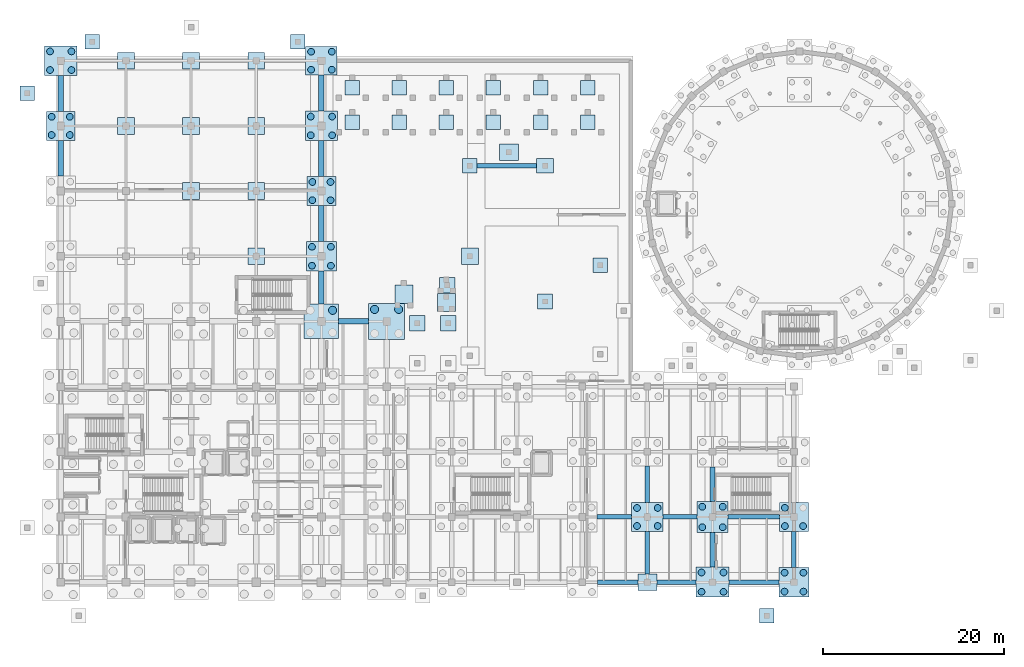
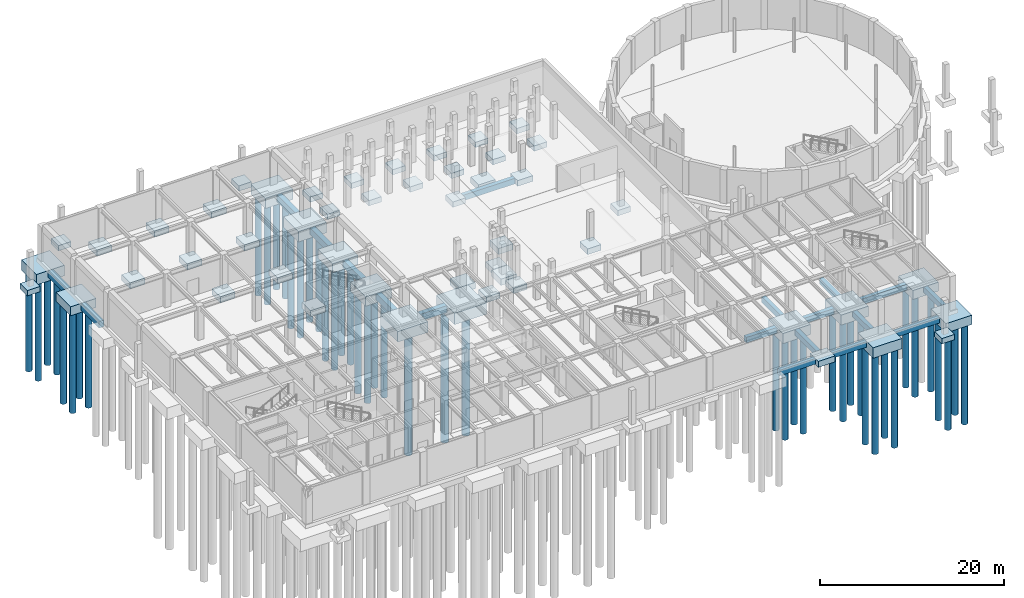
# One storey, part 4 of 26: 69 footings, 46 piles.
"""IFC4 building model written with IfcOpenShell, lengths in metres."""

import ifcopenshell
import ifcopenshell.guid

model = None  # the IFC model being written
_history = None  # IfcOwnerHistory: only IFC2X3 demands one
_inside = {}  # id of a spatial element -> (the spatial element, [elements in it])
_under = {}  # id of a project, library or spatial element -> (it, [spatial elements below it])
_declared = {}  # id of a project -> (the project, [libraries it declares])
_typed = {}  # id of a type object -> (the type object, [elements of that type])
_made_of = {}  # id of a material, layer set ... -> (it, [elements and type objects made of it])


def new_model(schema):
    """Start an empty IFC model of exactly this schema.

    Asked for "IFC4X3", IfcOpenShell would pick the latest addendum, in which some entities
    have other attributes; the version numbers below select the first issue.
    IFC2X3 requires an IfcOwnerHistory on every rooted entity: one is made here for all.
    """
    global model, _history
    if schema == "IFC4X3":
        model = ifcopenshell.file(schema_version=(4, 3, 0, 0))
    else:
        model = ifcopenshell.file(schema=schema)
    _inside.clear()
    _under.clear()
    _declared.clear()
    _typed.clear()
    _made_of.clear()
    _history = None
    if model.schema == "IFC2X3":
        org = make("IfcOrganization", Name="unknown")
        user = make(
            "IfcPersonAndOrganization",
            ThePerson=make("IfcPerson", FamilyName="unknown"),
            TheOrganization=org,
        )
        app = make(
            "IfcApplication",
            ApplicationDeveloper=org,
            Version="unknown",
            ApplicationFullName="unknown",
            ApplicationIdentifier="unknown",
        )
        _history = make(
            "IfcOwnerHistory",
            OwningUser=user,
            OwningApplication=app,
            ChangeAction="ADDED",
            CreationDate=0,
        )
    return model


def make(cls, **values):
    """One entity of the class cls with the attributes given. An attribute that is None is left unset."""
    return model.create_entity(
        cls, **{name: value for name, value in values.items() if value is not None}
    )


def rooted(cls, **values):
    """An entity with a GlobalId (a new one), such as an element, a storey or a relation."""
    return make(cls, GlobalId=ifcopenshell.guid.new(), OwnerHistory=_history, **values)


def si_unit(unit_type, name, prefix=None):
    """IfcSIUnit, for example si_unit("LENGTHUNIT", "METRE", prefix="MILLI")."""
    return make("IfcSIUnit", UnitType=unit_type, Prefix=prefix, Name=name)


def assignment(units):
    """IfcUnitAssignment: the units of a project."""
    return None if units is None else make("IfcUnitAssignment", Units=units)


def point(xyz):
    """IfcCartesianPoint."""
    return None if xyz is None else make("IfcCartesianPoint", Coordinates=xyz)


def direction(xyz):
    """IfcDirection."""
    return None if xyz is None else make("IfcDirection", DirectionRatios=xyz)


def frame(location, z_axis=None, x_axis=None):
    """IfcAxis2Placement3D, a coordinate frame: its origin and axes. An axis left out is left unset."""
    return make(
        "IfcAxis2Placement3D",
        Location=point(location),
        Axis=direction(z_axis),
        RefDirection=direction(x_axis),
    )


def frame_2d(location, x_axis=None):
    """IfcAxis2Placement2D, a coordinate frame in the plane: its origin and x axis."""
    return make(
        "IfcAxis2Placement2D", Location=point(location), RefDirection=direction(x_axis)
    )


def origin():
    """The frame at (0, 0, 0) with its axes left unset."""
    return frame((0.0, 0.0, 0.0))


def origin_2d():
    """The frame at (0, 0) in the plane with its x axis left unset."""
    return frame_2d((0.0, 0.0))


def place(relative_to, where):
    """IfcLocalPlacement: puts the frame where relative to a parent placement (None: the world)."""
    return make(
        "IfcLocalPlacement", PlacementRelTo=relative_to, RelativePlacement=where
    )


def context(
    kind, dimensions, precision=None, world=None, true_north=None, identifier=None
):
    """IfcGeometricRepresentationContext, for example the 3D "Model" context."""
    return make(
        "IfcGeometricRepresentationContext",
        ContextIdentifier=identifier,
        ContextType=kind,
        CoordinateSpaceDimension=dimensions,
        Precision=precision,
        WorldCoordinateSystem=world,
        TrueNorth=true_north,
    )


def subcontext(parent, identifier, kind, view, scale=None):
    """IfcGeometricRepresentationSubContext, for example "Body" below "Model"."""
    return make(
        "IfcGeometricRepresentationSubContext",
        ContextIdentifier=identifier,
        ContextType=kind,
        ParentContext=parent,
        TargetScale=scale,
        TargetView=view,
    )


def project(units=None, contexts=None):
    """IfcProject with its units and contexts."""
    return rooted(
        "IfcProject",
        Name="project",
        RepresentationContexts=contexts,
        UnitsInContext=assignment(units),
    )


def spatial(cls, under=None, at=None, **own):
    """A site, building, storey or space (cls), placed at a placement, below another one or the project."""
    s = rooted(cls, ObjectPlacement=at, **own)
    if under is not None:
        _under.setdefault(under.id(), (under, []))[1].append(s)
    return s


def profile(cls, at=None, kind="AREA", **sizes):
    """A parametric profile (cls). Its sizes go by their IFC names, for example OverallWidth=200.0."""
    return make(cls, ProfileType=kind, Position=at, **sizes)


def rectangle(**sizes):
    """IfcRectangleProfileDef."""
    return profile("IfcRectangleProfileDef", **sizes)


def circle(**sizes):
    """IfcCircleProfileDef."""
    return profile("IfcCircleProfileDef", **sizes)


def extrude(swept, where, along, depth):
    """IfcExtrudedAreaSolid: the profile swept, set in the frame where, extruded along a direction by depth."""
    return make(
        "IfcExtrudedAreaSolid",
        SweptArea=swept,
        Position=where,
        ExtrudedDirection=direction(along),
        Depth=depth,
    )


def shape(context_of_items, identifier, shape_type, items):
    """IfcShapeRepresentation: the items that make up one representation, for example the "Body"."""
    return make(
        "IfcShapeRepresentation",
        ContextOfItems=context_of_items,
        RepresentationIdentifier=identifier,
        RepresentationType=shape_type,
        Items=items,
    )


def material(Name=None, Category=None):
    """IfcMaterial."""
    return make("IfcMaterial", Name=Name, Category=Category)


def material_profile(
    of_material, cross_section, Name=None, Category=None, Priority=None
):
    """IfcMaterialProfile: a cross section and its material."""
    return make(
        "IfcMaterialProfile",
        Name=Name,
        Material=of_material,
        Profile=cross_section,
        Priority=Priority,
        Category=Category,
    )


def profile_set(profiles, Name=None, composite=None):
    """IfcMaterialProfileSet."""
    return make(
        "IfcMaterialProfileSet",
        Name=Name,
        MaterialProfiles=profiles,
        CompositeProfile=composite,
    )


def made_of(thing, what):
    """Note that an element or type object is made of a material, layer set ...; save() writes the relation."""
    if what is not None:
        _made_of.setdefault(what.id(), (what, []))[1].append(thing)
    return thing


def type_object(cls, material=None, **own):
    """A type object (cls), such as IfcWallType, which elements share."""
    return made_of(rooted(cls, **own), material)


def element(
    cls,
    number,
    at=None,
    inside=None,
    cuts=None,
    type_object=None,
    material=None,
    context=None,
    identifier="Body",
    shape_type=None,
    held_by="IfcProductDefinitionShape",
    body=None,
    shapes=None,
    **own,
):
    """One element of the class cls, such as IfcWall. Its Tag is "e" and its number.

    at: its placement. inside: the storey or other place that contains it. cuts: it is an
    opening in that element (IfcRelVoidsElement). A single representation is given by context,
    identifier, shape_type and body (its items); several are given by shapes. held_by: the class
    of the entity that holds the representations. save() writes the other relations.
    """
    e = rooted(cls, Tag="e%d" % number, ObjectPlacement=at, **own)
    if body is not None:
        shapes = [shape(context, identifier, shape_type, body)]
    if shapes is not None:
        e.Representation = make(held_by, Representations=shapes)
    if inside is not None:
        _inside.setdefault(inside.id(), (inside, []))[1].append(e)
    if cuts is not None:
        rooted(
            "IfcRelVoidsElement", RelatingBuildingElement=cuts, RelatedOpeningElement=e
        )
    if type_object is not None:
        _typed.setdefault(type_object.id(), (type_object, []))[1].append(e)
    return made_of(e, material)


def aggregate(whole, parts):
    """IfcRelAggregates: a whole, such as a stair, and the parts it consists of."""
    return rooted("IfcRelAggregates", RelatingObject=whole, RelatedObjects=parts)


def save(model, path):
    """Write the relations noted so far, then the file.

    IfcRelAggregates (storeys below a building ...), IfcRelContainedInSpatialStructure (elements
    in a storey), IfcRelDefinesByType, IfcRelAssociatesMaterial and IfcRelDeclares: one each for
    every whole, place, type object, material and project.
    """
    for whole, parts in _under.values():
        aggregate(whole, parts)
    for where, things in _inside.values():
        rooted(
            "IfcRelContainedInSpatialStructure",
            RelatedElements=things,
            RelatingStructure=where,
        )
    for kind, things in _typed.values():
        rooted("IfcRelDefinesByType", RelatedObjects=things, RelatingType=kind)
    for what, things in _made_of.values():
        rooted("IfcRelAssociatesMaterial", RelatedObjects=things, RelatingMaterial=what)
    for by, libraries in _declared.values():
        rooted("IfcRelDeclares", RelatingContext=by, RelatedDefinitions=libraries)
    model.write(path)


model = new_model("IFC4")

# Units and contexts
model_context = context("Model", 3, precision=1e-05, world=origin(), true_north=direction((0.0, 1.0)))
body_context = subcontext(model_context, "Body", "Model", "MODEL_VIEW")
ifc_project = project(units=[si_unit("LENGTHUNIT", "METRE"), si_unit("AREAUNIT", "SQUARE_METRE"), si_unit("VOLUMEUNIT", "CUBIC_METRE"), si_unit("PLANEANGLEUNIT", "RADIAN"), si_unit("MASSUNIT", "GRAM", prefix="KILO")], contexts=[model_context])

# Site, building, storey
site_placement = place(None, origin())
site = spatial("IfcSite", under=ifc_project, at=site_placement, CompositionType="ELEMENT")
building_placement = place(site_placement, origin())
building = spatial("IfcBuilding", under=site, at=building_placement, Name="Kandorven Conservatory and Botanical Research Centre", CompositionType="ELEMENT")
storey_placement = place(building_placement, frame((0.0, 0.0, -4.800048828125)))
storey = spatial("IfcBuildingStorey", under=building, at=storey_placement, Name="B01", CompositionType="ELEMENT", Elevation=-4.800048828125)

# Footings
ifc_material_1 = material(Name="Concrete C32/40 (M40)", Category="concrete")
ifc_material_profile_1 = material_profile(ifc_material_1, rectangle(XDim=0.60009765625, YDim=0.89990234375, at=origin_2d()))
ifc_profile_set_1 = profile_set([ifc_material_profile_1], Name="Concrete C32/40 (M40)")
footing_type_1 = type_object("IfcFootingType", Name="GroundBeam_GB-01", PredefinedType="FOOTING_BEAM", material=ifc_profile_set_1)
footing_1_placement = place(storey_placement, frame((6.0, 50.840087890625, -0.949951171875), z_axis=(0.0, 1.0, 0.0), x_axis=(-1.0, 0.0, 0.0)))
element("IfcFooting", 1, at=footing_1_placement, inside=storey, type_object=footing_type_1, Name="Ground tie beam GB-01 Y-012", PredefinedType="FOOTING_BEAM", context=body_context, shape_type="SweptSolid", body=[
    extrude(rectangle(XDim=0.60009765625, YDim=0.89990234375, at=origin_2d()), origin(), (0.0, 0.0, 1.0), 3.9599609375),
])
footing_2_placement = place(storey_placement, frame((6.0, 58.0, -0.949951171875), z_axis=(0.0, 1.0, 0.0), x_axis=(-1.0, 0.0, 0.0)))
element("IfcFooting", 2, at=footing_2_placement, inside=storey, type_object=footing_type_1, Name="Ground tie beam GB-01 Y-013", PredefinedType="FOOTING_BEAM", context=body_context, shape_type="SweptSolid", body=[
    extrude(rectangle(XDim=0.60009765625, YDim=0.89990234375, at=origin_2d()), origin(), (0.0, 0.0, 1.0), 3.97509765625),
])
footing_3_placement = place(storey_placement, frame((36.699951171875, 34.800048828125, -0.949951171875), z_axis=(1.0, 0.0, 0.0), x_axis=(0.0, 1.0, 0.0)))
element("IfcFooting", 3, at=footing_3_placement, inside=storey, type_object=footing_type_1, Name="Ground tie beam GB-01 X-049", PredefinedType="FOOTING_BEAM", context=body_context, shape_type="SweptSolid", body=[
    extrude(rectangle(XDim=0.60009765625, YDim=0.89990234375, at=origin_2d()), origin(), (0.0, 0.0, 1.0), 3.300048828125),
])
footing_4_placement = place(storey_placement, frame((34.800048828125, 36.699951171875, -0.949951171875), z_axis=(0.0, 1.0, 0.0), x_axis=(-1.0, 0.0, 0.0)))
element("IfcFooting", 4, at=footing_4_placement, inside=storey, type_object=footing_type_1, Name="Ground tie beam GB-01 Y-050", PredefinedType="FOOTING_BEAM", context=body_context, shape_type="SweptSolid", body=[
    extrude(rectangle(XDim=0.60009765625, YDim=0.89990234375, at=origin_2d()), origin(), (0.0, 0.0, 1.0), 3.66015625),
])
footing_5_placement = place(storey_placement, frame((34.800048828125, 43.639892578125, -0.949951171875), z_axis=(0.0, 1.0, 0.0), x_axis=(-1.0, 0.0, 0.0)))
element("IfcFooting", 5, at=footing_5_placement, inside=storey, type_object=footing_type_1, Name="Ground tie beam GB-01 Y-051", PredefinedType="FOOTING_BEAM", context=body_context, shape_type="SweptSolid", body=[
    extrude(rectangle(XDim=0.60009765625, YDim=0.89990234375, at=origin_2d()), origin(), (0.0, 0.0, 1.0), 3.960205078125),
])
footing_6_placement = place(storey_placement, frame((34.800048828125, 50.800048828125, -0.949951171875), z_axis=(0.0, 1.0, 0.0), x_axis=(-1.0, 0.0, 0.0)))
element("IfcFooting", 6, at=footing_6_placement, inside=storey, type_object=footing_type_1, Name="Ground tie beam GB-01 Y-052", PredefinedType="FOOTING_BEAM", context=body_context, shape_type="SweptSolid", body=[
    extrude(rectangle(XDim=0.60009765625, YDim=0.89990234375, at=origin_2d()), origin(), (0.0, 0.0, 1.0), 3.974853515625),
])
footing_7_placement = place(storey_placement, frame((34.800048828125, 58.02490234375, -0.949951171875), z_axis=(0.0, 1.0, 0.0), x_axis=(-1.0, 0.0, 0.0)))
element("IfcFooting", 7, at=footing_7_placement, inside=storey, type_object=footing_type_1, Name="Ground tie beam GB-01 Y-053", PredefinedType="FOOTING_BEAM", context=body_context, shape_type="SweptSolid", body=[
    extrude(rectangle(XDim=0.60009765625, YDim=0.89990234375, at=origin_2d()), origin(), (0.0, 0.0, 1.0), 3.985107421875),
])
ifc_material_2 = material(Name="Concrete C32/40 (M40)", Category="concrete")
ifc_material_profile_2 = material_profile(ifc_material_2, rectangle(XDim=0.5, YDim=0.75, at=origin_2d()))
ifc_profile_set_2 = profile_set([ifc_material_profile_2], Name="Concrete C32/40 (M40)")
footing_type_2 = type_object("IfcFootingType", Name="GroundBeam_GB-02", PredefinedType="FOOTING_BEAM", material=ifc_profile_set_2)
footing_8_placement = place(storey_placement, frame((52.0, 52.0, -0.875), z_axis=(1.0, 0.0, 0.0), x_axis=(0.0, 1.0, 0.0)))
element("IfcFooting", 8, at=footing_8_placement, inside=storey, type_object=footing_type_2, Name="Ground tie beam GB-02 X-069", PredefinedType="FOOTING_BEAM", context=body_context, shape_type="SweptSolid", body=[
    extrude(rectangle(XDim=0.5, YDim=0.75, at=origin_2d()), origin(), (0.0, 0.0, 1.0), 6.550048828125),
])
footing_9_placement = place(storey_placement, frame((65.27490234375, 6.0, -0.875), z_axis=(1.0, 0.0, 0.0), x_axis=(0.0, 1.0, 0.0)))
element("IfcFooting", 9, at=footing_9_placement, inside=storey, type_object=footing_type_2, Name="Ground tie beam GB-02 X-077", PredefinedType="FOOTING_BEAM", context=body_context, shape_type="SweptSolid", body=[
    extrude(rectangle(XDim=0.5, YDim=0.75, at=origin_2d()), origin(), (0.0, 0.0, 1.0), 4.47509765625),
])
footing_10_placement = place(storey_placement, frame((65.239990234375, 13.199951171875, -0.875), z_axis=(1.0, 0.0, 0.0), x_axis=(0.0, 1.0, 0.0)))
element("IfcFooting", 10, at=footing_10_placement, inside=storey, type_object=footing_type_2, Name="Ground tie beam GB-02 X-079", PredefinedType="FOOTING_BEAM", context=body_context, shape_type="SweptSolid", body=[
    extrude(rectangle(XDim=0.5, YDim=0.75, at=origin_2d()), origin(), (0.0, 0.0, 1.0), 3.820068359375),
])
footing_11_placement = place(storey_placement, frame((71.85009765625, 6.0, -0.875), z_axis=(1.0, 0.0, 0.0), x_axis=(0.0, 1.0, 0.0)))
element("IfcFooting", 11, at=footing_11_placement, inside=storey, type_object=footing_type_2, Name="Ground tie beam GB-02 X-084", PredefinedType="FOOTING_BEAM", context=body_context, shape_type="SweptSolid", body=[
    extrude(rectangle(XDim=0.5, YDim=0.75, at=origin_2d()), origin(), (0.0, 0.0, 1.0), 4.33984375),
])
footing_12_placement = place(storey_placement, frame((70.800048828125, 6.89990234375, -0.875), z_axis=(0.0, 1.0, 0.0), x_axis=(-1.0, 0.0, 0.0)))
element("IfcFooting", 12, at=footing_12_placement, inside=storey, type_object=footing_type_2, Name="Ground tie beam GB-02 Y-085", PredefinedType="FOOTING_BEAM", context=body_context, shape_type="SweptSolid", body=[
    extrude(rectangle(XDim=0.5, YDim=0.75, at=origin_2d()), origin(), (0.0, 0.0, 1.0), 4.710205078125),
])
footing_13_placement = place(storey_placement, frame((72.5400390625, 13.199951171875, -0.875), z_axis=(1.0, 0.0, 0.0), x_axis=(0.0, 1.0, 0.0)))
element("IfcFooting", 13, at=footing_13_placement, inside=storey, type_object=footing_type_2, Name="Ground tie beam GB-02 X-086", PredefinedType="FOOTING_BEAM", context=body_context, shape_type="SweptSolid", body=[
    extrude(rectangle(XDim=0.5, YDim=0.75, at=origin_2d()), origin(), (0.0, 0.0, 1.0), 3.73486328125),
])
footing_14_placement = place(storey_placement, frame((70.800048828125, 14.7900390625, -0.875), z_axis=(0.0, 1.0, 0.0), x_axis=(-1.0, 0.0, 0.0)))
element("IfcFooting", 14, at=footing_14_placement, inside=storey, type_object=footing_type_2, Name="Ground tie beam GB-02 Y-087", PredefinedType="FOOTING_BEAM", context=body_context, shape_type="SweptSolid", body=[
    extrude(rectangle(XDim=0.5, YDim=0.75, at=origin_2d()), origin(), (0.0, 0.0, 1.0), 4.034912109375),
])
footing_15_placement = place(storey_placement, frame((79.81005859375, 6.0, -0.875), z_axis=(1.0, 0.0, 0.0), x_axis=(0.0, 1.0, 0.0)))
element("IfcFooting", 15, at=footing_15_placement, inside=storey, type_object=footing_type_2, Name="Ground tie beam GB-02 X-091", PredefinedType="FOOTING_BEAM", context=body_context, shape_type="SweptSolid", body=[
    extrude(rectangle(XDim=0.5, YDim=0.75, at=origin_2d()), origin(), (0.0, 0.0, 1.0), 5.550048828125),
])
footing_16_placement = place(storey_placement, frame((78.0, 7.659912109375, -0.875), z_axis=(0.0, 1.0, 0.0), x_axis=(-1.0, 0.0, 0.0)))
element("IfcFooting", 16, at=footing_16_placement, inside=storey, type_object=footing_type_2, Name="Ground tie beam GB-02 Y-092", PredefinedType="FOOTING_BEAM", context=body_context, shape_type="SweptSolid", body=[
    extrude(rectangle(XDim=0.5, YDim=0.75, at=origin_2d()), origin(), (0.0, 0.0, 1.0), 3.815185546875),
])
footing_17_placement = place(storey_placement, frame((79.72509765625, 13.199951171875, -0.875), z_axis=(1.0, 0.0, 0.0), x_axis=(0.0, 1.0, 0.0)))
element("IfcFooting", 17, at=footing_17_placement, inside=storey, type_object=footing_type_2, Name="Ground tie beam GB-02 X-093", PredefinedType="FOOTING_BEAM", context=body_context, shape_type="SweptSolid", body=[
    extrude(rectangle(XDim=0.5, YDim=0.75, at=origin_2d()), origin(), (0.0, 0.0, 1.0), 5.6748046875),
])
footing_18_placement = place(storey_placement, frame((78.0, 14.925048828125, -0.875), z_axis=(0.0, 1.0, 0.0), x_axis=(-1.0, 0.0, 0.0)))
element("IfcFooting", 18, at=footing_18_placement, inside=storey, type_object=footing_type_2, Name="Ground tie beam GB-02 Y-094", PredefinedType="FOOTING_BEAM", context=body_context, shape_type="SweptSolid", body=[
    extrude(rectangle(XDim=0.5, YDim=0.75, at=origin_2d()), origin(), (0.0, 0.0, 1.0), 3.800048828125),
])
footing_19_placement = place(storey_placement, frame((87.0, 7.639892578125, -0.875), z_axis=(0.0, 1.0, 0.0), x_axis=(-1.0, 0.0, 0.0)))
element("IfcFooting", 19, at=footing_19_placement, inside=storey, type_object=footing_type_2, Name="Ground tie beam GB-02 Y-098", PredefinedType="FOOTING_BEAM", context=body_context, shape_type="SweptSolid", body=[
    extrude(rectangle(XDim=0.5, YDim=0.75, at=origin_2d()), origin(), (0.0, 0.0, 1.0), 3.960205078125),
])
ifc_material_3 = material(Name="Concrete C32/40 (M40)", Category="concrete")
footing_type_3 = type_object("IfcFootingType", Name="PadFooting_PF-01", PredefinedType="PAD_FOOTING", material=ifc_material_3)
for number, where, z_axis, x_axis, name in (
    (20, (43.89990234375, 37.800048828125, -1.35009765625), (0.0, 0.0, 1.0), (1.0, 0.0, 0.0), "Pad footing PF-01 at RMP-LDG-1"),
    (21, (48.60009765625, 36.89990234375, -1.35009765625), (0.0, 0.0, 1.0), (1.0, 0.0, 0.0), "Pad footing PF-01 at RMP-TOE-1"),
):
    element("IfcFooting", number, at=place(storey_placement, frame(where, z_axis=z_axis, x_axis=x_axis)), inside=storey, type_object=footing_type_3, Name=name, PredefinedType="PAD_FOOTING", context=body_context, shape_type="SweptSolid", body=[
        extrude(rectangle(XDim=2.0, YDim=2.0, at=origin_2d()), origin(), (0.0, 0.0, 1.0), 0.85009765625),
    ])
ifc_material_4 = material(Name="Concrete C32/40 (M40)", Category="concrete")
footing_type_4 = type_object("IfcFootingType", Name="PadFooting_PF-02", PredefinedType="PAD_FOOTING", material=ifc_material_4)
for number, where, z_axis, x_axis, name in (
    (22, (51.199951171875, 42.0, -1.2998046875), (0.0, 0.0, 1.0), (1.0, 0.0, 0.0), "Pad footing PF-02 at CP-2"),
    (23, (13.199951171875, 56.39990234375, -1.2998046875), (0.0, 0.0, 1.0), (1.0, 0.0, 0.0), "Pad footing PF-02 at AINT-1-3"),
    (24, (13.199951171875, 63.60009765625, -1.2998046875), (0.0, 0.0, 1.0), (1.0, 0.0, 0.0), "Pad footing PF-02 at AINT-1-4"),
    (25, (20.39990234375, 49.199951171875, -1.2998046875), (0.0, 0.0, 1.0), (1.0, 0.0, 0.0), "Pad footing PF-02 at AINT-2-2"),
    (26, (20.39990234375, 56.39990234375, -1.2998046875), (0.0, 0.0, 1.0), (1.0, 0.0, 0.0), "Pad footing PF-02 at AINT-2-3"),
    (27, (20.39990234375, 63.60009765625, -1.2998046875), (0.0, 0.0, 1.0), (1.0, 0.0, 0.0), "Pad footing PF-02 at AINT-2-4"),
    (28, (27.60009765625, 42.0, -1.2998046875), (0.0, 0.0, 1.0), (1.0, 0.0, 0.0), "Pad footing PF-02 at AINT-3-1"),
    (29, (27.60009765625, 49.199951171875, -1.2998046875), (0.0, 0.0, 1.0), (1.0, 0.0, 0.0), "Pad footing PF-02 at AINT-3-2"),
    (30, (27.60009765625, 56.39990234375, -1.2998046875), (0.0, 0.0, 1.0), (1.0, 0.0, 0.0), "Pad footing PF-02 at AINT-3-3"),
    (31, (27.60009765625, 63.60009765625, -1.2998046875), (0.0, 0.0, 1.0), (1.0, 0.0, 0.0), "Pad footing PF-02 at AINT-3-4"),
):
    element("IfcFooting", number, at=place(storey_placement, frame(where, z_axis=z_axis, x_axis=x_axis)), inside=storey, type_object=footing_type_4, Name=name, PredefinedType="PAD_FOOTING", context=body_context, shape_type="SweptSolid", body=[
        extrude(rectangle(XDim=1.85009765625, YDim=1.85009765625, at=origin_2d()), origin(), (0.0, 0.0, 1.0), 0.800048828125),
    ])
ifc_material_5 = material(Name="Concrete C32/40 (M40)", Category="concrete")
footing_type_5 = type_object("IfcFootingType", Name="PadFooting_PF-03", PredefinedType="PAD_FOOTING", material=ifc_material_5)
for number, where, z_axis, x_axis, name in (
    (32, (59.5, 37.0, -1.25), (0.0, 0.0, 1.0), (1.0, 0.0, 0.0), "Pad footing PF-03 at CP-3"),
    (33, (45.39990234375, 34.60009765625, -1.25), (0.0, 0.0, 1.0), (1.0, 0.0, 0.0), "Pad footing PF-03 at CPLZ-3"),
    (34, (48.800048828125, 34.60009765625, -1.25), (0.0, 0.0, 1.0), (1.0, 0.0, 0.0), "Pad footing PF-03 at CPLZ-4"),
    (35, (48.699951171875, 38.800048828125, -1.25), (0.0, 0.0, 1.0), (1.0, 0.0, 0.0), "Pad footing PF-03 at CPLZ-N1"),
):
    element("IfcFooting", number, at=place(storey_placement, frame(where, z_axis=z_axis, x_axis=x_axis)), inside=storey, type_object=footing_type_5, Name=name, PredefinedType="PAD_FOOTING", context=body_context, shape_type="SweptSolid", body=[
        extrude(rectangle(XDim=1.699951171875, YDim=1.699951171875, at=origin_2d()), origin(), (0.0, 0.0, 1.0), 0.75),
    ])
ifc_material_6 = material(Name="Concrete C32/40 (M40)", Category="concrete")
footing_type_6 = type_object("IfcFootingType", Name="PadFooting_PF-04", PredefinedType="PAD_FOOTING", material=ifc_material_6)
for number, where, z_axis, x_axis, name in (
    (36, (51.199951171875, 52.0, -1.19970703125), (0.0, 0.0, 1.0), (1.0, 0.0, 0.0), "Pad footing PF-04 at CP-4"),
    (37, (38.199951171875, 56.800048828125, -1.19970703125), (0.0, 0.0, 1.0), (1.0, 0.0, 0.0), "Pad footing PF-04 at CTERR-01"),
    (38, (43.39990234375, 56.800048828125, -1.19970703125), (0.0, 0.0, 1.0), (1.0, 0.0, 0.0), "Pad footing PF-04 at CTERR-02"),
    (39, (48.60009765625, 56.800048828125, -1.19970703125), (0.0, 0.0, 1.0), (1.0, 0.0, 0.0), "Pad footing PF-04 at CTERR-03"),
    (40, (53.800048828125, 56.800048828125, -1.19970703125), (0.0, 0.0, 1.0), (1.0, 0.0, 0.0), "Pad footing PF-04 at CTERR-04"),
    (41, (59.0, 56.800048828125, -1.19970703125), (0.0, 0.0, 1.0), (1.0, 0.0, 0.0), "Pad footing PF-04 at CTERR-05"),
    (42, (64.199951171875, 56.800048828125, -1.19970703125), (0.0, 0.0, 1.0), (1.0, 0.0, 0.0), "Pad footing PF-04 at CTERR-06"),
    (43, (38.199951171875, 60.60009765625, -1.19970703125), (0.0, 0.0, 1.0), (1.0, 0.0, 0.0), "Pad footing PF-04 at CTERR-07"),
    (44, (43.39990234375, 60.60009765625, -1.19970703125), (0.0, 0.0, 1.0), (1.0, 0.0, 0.0), "Pad footing PF-04 at CTERR-08"),
    (45, (48.60009765625, 60.60009765625, -1.19970703125), (0.0, 0.0, 1.0), (1.0, 0.0, 0.0), "Pad footing PF-04 at CTERR-09"),
    (46, (53.800048828125, 60.60009765625, -1.19970703125), (0.0, 0.0, 1.0), (1.0, 0.0, 0.0), "Pad footing PF-04 at CTERR-10"),
    (47, (59.0, 60.60009765625, -1.19970703125), (0.0, 0.0, 1.0), (1.0, 0.0, 0.0), "Pad footing PF-04 at CTERR-11"),
    (48, (64.199951171875, 60.60009765625, -1.19970703125), (0.0, 0.0, 1.0), (1.0, 0.0, 0.0), "Pad footing PF-04 at CTERR-12"),
    (49, (84.0, 2.300048828125, -0.69970703125), (0.0, 0.0, 1.0), (1.0, 0.0, 0.0), "Grade apron pad footing SLAB-EXT-SOUTH-PLAZA-3"),
    (50, (2.300048828125, 60.0, -0.69970703125), (0.0, 0.0, 1.0), (1.0, 0.0, 0.0), "Grade apron pad footing SLAB-EXT-WEST-APRON-3"),
    (51, (9.5, 65.699951171875, -0.69970703125), (0.0, 0.0, 1.0), (1.0, 0.0, 0.0), "Grade apron pad footing SLAB-EXT-NORTH-LANE-1"),
    (52, (32.199951171875, 65.699951171875, -0.69970703125), (0.0, 0.0, 1.0), (1.0, 0.0, 0.0), "Grade apron pad footing SLAB-EXT-NORTH-LANE-3"),
    (53, (65.60009765625, 41.0, -0.69970703125), (0.0, 0.0, 1.0), (1.0, 0.0, 0.0), "Grade apron pad footing SLAB-EXT-EAST-COURT-3"),
):
    element("IfcFooting", number, at=place(storey_placement, frame(where, z_axis=z_axis, x_axis=x_axis)), inside=storey, type_object=footing_type_6, Name=name, PredefinedType="PAD_FOOTING", context=body_context, shape_type="SweptSolid", body=[
        extrude(rectangle(XDim=1.60009765625, YDim=1.60009765625, at=origin_2d()), origin(), (0.0, 0.0, 1.0), 0.699951171875),
    ])
ifc_material_7 = material(Name="Concrete C32/40 (M40)", Category="concrete")
footing_type_7 = type_object("IfcFootingType", Name="PadFooting_PF-05", PredefinedType="PAD_FOOTING", material=ifc_material_7)
for number, where, z_axis, x_axis, name in (
    (54, (70.800048828125, 6.0, -1.2998046875), (0.0, 0.0, 1.0), (1.0, 0.0, 0.0), "Pad footing PF-05 at V-5-1"),
    (55, (55.5, 53.5, -1.2998046875), (0.0, 0.0, 1.0), (1.0, 0.0, 0.0), "Pad footing PF-05 at CP-5"),
):
    element("IfcFooting", number, at=place(storey_placement, frame(where, z_axis=z_axis, x_axis=x_axis)), inside=storey, type_object=footing_type_7, Name=name, PredefinedType="PAD_FOOTING", context=body_context, shape_type="SweptSolid", body=[
        extrude(rectangle(XDim=2.10009765625, YDim=1.800048828125, at=origin_2d()), origin(), (0.0, 0.0, 1.0), 0.800048828125),
    ])
ifc_material_8 = material(Name="Concrete C32/40 (M40)", Category="concrete")
footing_type_8 = type_object("IfcFootingType", Name="PadFooting_PF-06", PredefinedType="PAD_FOOTING", material=ifc_material_8)
footing_20_placement = place(storey_placement, frame((59.5, 52.0, -1.25), z_axis=(0.0, 0.0, 1.0), x_axis=(1.0, 0.0, 0.0)))
element("IfcFooting", 56, at=footing_20_placement, inside=storey, type_object=footing_type_8, Name="Pad footing PF-06 at CP-6", PredefinedType="PAD_FOOTING", context=body_context, shape_type="SweptSolid", body=[
    extrude(rectangle(XDim=1.89990234375, YDim=1.60009765625, at=origin_2d()), origin(), (0.0, 0.0, 1.0), 0.75),
])
ifc_material_9 = material(Name="Concrete C32/40 (M40)", Category="concrete")
footing_type_9 = type_object("IfcFootingType", Name="PileCap_PC-02", PredefinedType="PILE_CAP", material=ifc_material_9)
footing_21_placement = place(storey_placement, frame((42.0, 34.800048828125, -2.0), z_axis=(0.0, 0.0, 1.0), x_axis=(1.0, 0.0, 0.0)))
element("IfcFooting", 57, at=footing_21_placement, inside=storey, type_object=footing_type_9, Name="Pile cap PC-02 at T-6-5", PredefinedType="PILE_CAP", context=body_context, shape_type="SweptSolid", body=[
    extrude(rectangle(XDim=4.0, YDim=4.0, at=origin_2d()), origin(), (0.0, 0.0, 1.0), 1.5),
])
ifc_material_10 = material(Name="Concrete C32/40 (M40)", Category="concrete")
footing_type_10 = type_object("IfcFootingType", Name="PileCap_PC-04", PredefinedType="PILE_CAP", material=ifc_material_10)
footing_22_placement = place(storey_placement, frame((34.800048828125, 34.800048828125, -1.89990234375), z_axis=(0.0, 0.0, 1.0), x_axis=(1.0, 0.0, 0.0)))
element("IfcFooting", 58, at=footing_22_placement, inside=storey, type_object=footing_type_10, Name="Pile cap PC-04 at T-5-5", PredefinedType="PILE_CAP", context=body_context, shape_type="SweptSolid", body=[
    extrude(rectangle(XDim=3.800048828125, YDim=3.800048828125, at=origin_2d()), origin(), (0.0, 0.0, 1.0), 1.39990234375),
])
ifc_material_11 = material(Name="Concrete C32/40 (M40)", Category="concrete")
footing_type_11 = type_object("IfcFootingType", Name="PileCap_PC-05", PredefinedType="PILE_CAP", material=ifc_material_11)
footing_23_placement = place(storey_placement, frame((78.0, 13.199951171875, -1.85009765625), z_axis=(0.0, 0.0, 1.0), x_axis=(1.0, 0.0, 0.0)))
element("IfcFooting", 59, at=footing_23_placement, inside=storey, type_object=footing_type_11, Name="Pile cap PC-05 at V-6-2", PredefinedType="PILE_CAP", context=body_context, shape_type="SweptSolid", body=[
    extrude(rectangle(XDim=3.449951171875, YDim=3.449951171875, at=origin_2d()), origin(), (0.0, 0.0, 1.0), 1.35009765625),
])
ifc_material_12 = material(Name="Concrete C32/40 (M40)", Category="concrete")
footing_type_12 = type_object("IfcFootingType", Name="PileCap_PC-07", PredefinedType="PILE_CAP", material=ifc_material_12)
for number, where, z_axis, x_axis, name in (
    (60, (34.800048828125, 42.0, -1.75), (0.0, 0.0, 1.0), (1.0, 0.0, 0.0), "Pile cap PC-07 at A-2-2"),
    (61, (87.0, 6.0, -1.75), (0.0, 0.0, 1.0), (1.0, 0.0, 0.0), "Pile cap PC-07 at V-7-1"),
):
    element("IfcFooting", number, at=place(storey_placement, frame(where, z_axis=z_axis, x_axis=x_axis)), inside=storey, type_object=footing_type_12, Name=name, PredefinedType="PILE_CAP", context=body_context, shape_type="SweptSolid", body=[
        extrude(rectangle(XDim=3.280029296875, YDim=3.280029296875, at=origin_2d()), origin(), (0.0, 0.0, 1.0), 1.25),
    ])
ifc_material_13 = material(Name="Concrete C32/40 (M40)", Category="concrete")
footing_type_13 = type_object("IfcFootingType", Name="PileCap_PC-08", PredefinedType="PILE_CAP", material=ifc_material_13)
for number, where, z_axis, x_axis, name in (
    (62, (6.0, 56.39990234375, -1.69970703125), (0.0, 0.0, 1.0), (1.0, 0.0, 0.0), "Pile cap PC-08 at A-1-4"),
    (63, (34.800048828125, 49.199951171875, -1.69970703125), (0.0, 0.0, 1.0), (1.0, 0.0, 0.0), "Pile cap PC-08 at A-2-3"),
    (64, (87.0, 13.199951171875, -1.69970703125), (0.0, 0.0, 1.0), (1.0, 0.0, 0.0), "Pile cap PC-08 at V-7-2"),
):
    element("IfcFooting", number, at=place(storey_placement, frame(where, z_axis=z_axis, x_axis=x_axis)), inside=storey, type_object=footing_type_13, Name=name, PredefinedType="PILE_CAP", context=body_context, shape_type="SweptSolid", body=[
        extrude(rectangle(XDim=3.199951171875, YDim=3.199951171875, at=origin_2d()), origin(), (0.0, 0.0, 1.0), 1.199951171875),
    ])
ifc_material_14 = material(Name="Concrete C32/40 (M40)", Category="concrete")
footing_type_14 = type_object("IfcFootingType", Name="PileCap_PC-14", PredefinedType="PILE_CAP", material=ifc_material_14)
for number, where, z_axis, x_axis, name in (
    (65, (6.0, 63.60009765625, -1.89990234375), (0.0, 0.0, 1.0), (1.0, 0.0, 0.0), "Pile cap PC-14 at A-1-5"),
    (66, (34.800048828125, 56.39990234375, -1.89990234375), (0.0, 0.0, 1.0), (1.0, 0.0, 0.0), "Pile cap PC-14 at A-2-4"),
):
    element("IfcFooting", number, at=place(storey_placement, frame(where, z_axis=z_axis, x_axis=x_axis)), inside=storey, type_object=footing_type_14, Name=name, PredefinedType="PILE_CAP", context=body_context, shape_type="SweptSolid", body=[
        extrude(rectangle(XDim=3.550048828125, YDim=3.25, at=origin_2d()), origin(), (0.0, 0.0, 1.0), 1.39990234375),
    ])
ifc_material_15 = material(Name="Concrete C32/40 (M40)", Category="concrete")
footing_type_15 = type_object("IfcFootingType", Name="PileCap_PC-15", PredefinedType="PILE_CAP", material=ifc_material_15)
for number, where, z_axis, x_axis, name in (
    (67, (34.800048828125, 63.60009765625, -1.85009765625), (0.0, 0.0, 1.0), (1.0, 0.0, 0.0), "Pile cap PC-15 at A-2-5"),
    (68, (70.800048828125, 13.199951171875, -1.85009765625), (0.0, 0.0, 1.0), (1.0, 0.0, 0.0), "Pile cap PC-15 at V-5-2"),
):
    element("IfcFooting", number, at=place(storey_placement, frame(where, z_axis=z_axis, x_axis=x_axis)), inside=storey, type_object=footing_type_15, Name=name, PredefinedType="PILE_CAP", context=body_context, shape_type="SweptSolid", body=[
        extrude(rectangle(XDim=3.47998046875, YDim=3.179931640625, at=origin_2d()), origin(), (0.0, 0.0, 1.0), 1.35009765625),
    ])
ifc_material_16 = material(Name="Concrete C32/40 (M40)", Category="concrete")
footing_type_16 = type_object("IfcFootingType", Name="PileCap_PC-20", PredefinedType="PILE_CAP", material=ifc_material_16)
footing_24_placement = place(storey_placement, frame((78.0, 6.0, -1.8798828125), z_axis=(0.0, 0.0, 1.0), x_axis=(1.0, 0.0, 0.0)))
element("IfcFooting", 69, at=footing_24_placement, inside=storey, type_object=footing_type_16, Name="Pile cap PC-20 at V-6-1", PredefinedType="PILE_CAP", context=body_context, shape_type="SweptSolid", body=[
    extrude(rectangle(XDim=3.6201171875, YDim=3.320068359375, at=origin_2d()), origin(), (0.0, 0.0, 1.0), 1.3798828125),
])

# Piles
ifc_material_17 = material(Name="Concrete C32/40 (M40)", Category="concrete")
ifc_material_profile_3 = material_profile(ifc_material_17, circle(Radius=0.375, at=origin_2d()))
ifc_profile_set_3 = profile_set([ifc_material_profile_3], Name="Concrete C32/40 (M40)")
pile_type_1 = type_object("IfcPileType", Name="Pile_PILE_D750", PredefinedType="BORED", material=ifc_profile_set_3)
for number, where, z_axis, x_axis, name in (
    (70, (4.9951171875, 55.39501953125, -1.599853515625), (0.0, 0.0, -1.0), (1.0, 0.0, 0.0), "Bored pile A-1-4-1"),
    (71, (4.9951171875, 57.405029296875, -1.599853515625), (0.0, 0.0, -1.0), (1.0, 0.0, 0.0), "Bored pile A-1-4-2"),
    (72, (7.0048828125, 55.39501953125, -1.599853515625), (0.0, 0.0, -1.0), (1.0, 0.0, 0.0), "Bored pile A-1-4-3"),
    (73, (7.0048828125, 57.405029296875, -1.599853515625), (0.0, 0.0, -1.0), (1.0, 0.0, 0.0), "Bored pile A-1-4-4"),
):
    element("IfcPile", number, at=place(storey_placement, frame(where, z_axis=z_axis, x_axis=x_axis)), inside=storey, type_object=pile_type_1, Name=name, PredefinedType="BORED", context=body_context, shape_type="SweptSolid", body=[
        extrude(circle(Radius=0.375, at=origin_2d()), origin(), (0.0, 0.0, 1.0), 13.39990234375),
    ])
for number, where, z_axis, x_axis, name in (
    (74, (4.820068359375, 62.570068359375, -1.800048828125), (0.0, 0.0, -1.0), (1.0, 0.0, 0.0), "Bored pile A-1-5-1"),
    (75, (4.820068359375, 64.6298828125, -1.800048828125), (0.0, 0.0, -1.0), (1.0, 0.0, 0.0), "Bored pile A-1-5-2"),
    (76, (7.179931640625, 62.570068359375, -1.800048828125), (0.0, 0.0, -1.0), (1.0, 0.0, 0.0), "Bored pile A-1-5-3"),
    (77, (7.179931640625, 64.6298828125, -1.800048828125), (0.0, 0.0, -1.0), (1.0, 0.0, 0.0), "Bored pile A-1-5-4"),
):
    element("IfcPile", number, at=place(storey_placement, frame(where, z_axis=z_axis, x_axis=x_axis)), inside=storey, type_object=pile_type_1, Name=name, PredefinedType="BORED", context=body_context, shape_type="SweptSolid", body=[
        extrude(circle(Radius=0.375, at=origin_2d()), origin(), (0.0, 0.0, 1.0), 13.199951171875),
    ])
for number, where, z_axis, x_axis, name in (
    (78, (33.7548828125, 40.955078125, -1.64990234375), (0.0, 0.0, -1.0), (1.0, 0.0, 0.0), "Bored pile A-2-2-1"),
    (79, (33.7548828125, 43.044921875, -1.64990234375), (0.0, 0.0, -1.0), (1.0, 0.0, 0.0), "Bored pile A-2-2-2"),
    (80, (35.844970703125, 40.955078125, -1.64990234375), (0.0, 0.0, -1.0), (1.0, 0.0, 0.0), "Bored pile A-2-2-3"),
    (81, (35.844970703125, 43.044921875, -1.64990234375), (0.0, 0.0, -1.0), (1.0, 0.0, 0.0), "Bored pile A-2-2-4"),
):
    element("IfcPile", number, at=place(storey_placement, frame(where, z_axis=z_axis, x_axis=x_axis)), inside=storey, type_object=pile_type_1, Name=name, PredefinedType="BORED", context=body_context, shape_type="SweptSolid", body=[
        extrude(circle(Radius=0.375, at=origin_2d()), origin(), (0.0, 0.0, 1.0), 13.35009765625),
    ])
for number, where, z_axis, x_axis, name in (
    (82, (33.794921875, 48.195068359375, -1.599853515625), (0.0, 0.0, -1.0), (1.0, 0.0, 0.0), "Bored pile A-2-3-1"),
    (83, (33.794921875, 50.205078125, -1.599853515625), (0.0, 0.0, -1.0), (1.0, 0.0, 0.0), "Bored pile A-2-3-2"),
    (84, (35.804931640625, 48.195068359375, -1.599853515625), (0.0, 0.0, -1.0), (1.0, 0.0, 0.0), "Bored pile A-2-3-3"),
    (85, (35.804931640625, 50.205078125, -1.599853515625), (0.0, 0.0, -1.0), (1.0, 0.0, 0.0), "Bored pile A-2-3-4"),
):
    element("IfcPile", number, at=place(storey_placement, frame(where, z_axis=z_axis, x_axis=x_axis)), inside=storey, type_object=pile_type_1, Name=name, PredefinedType="BORED", context=body_context, shape_type="SweptSolid", body=[
        extrude(circle(Radius=0.375, at=origin_2d()), origin(), (0.0, 0.0, 1.0), 13.39990234375),
    ])
for number, where, z_axis, x_axis, name in (
    (86, (33.6201171875, 55.3701171875, -1.800048828125), (0.0, 0.0, -1.0), (1.0, 0.0, 0.0), "Bored pile A-2-4-1"),
    (87, (33.6201171875, 57.429931640625, -1.800048828125), (0.0, 0.0, -1.0), (1.0, 0.0, 0.0), "Bored pile A-2-4-2"),
    (88, (35.97998046875, 55.3701171875, -1.800048828125), (0.0, 0.0, -1.0), (1.0, 0.0, 0.0), "Bored pile A-2-4-3"),
    (89, (35.97998046875, 57.429931640625, -1.800048828125), (0.0, 0.0, -1.0), (1.0, 0.0, 0.0), "Bored pile A-2-4-4"),
):
    element("IfcPile", number, at=place(storey_placement, frame(where, z_axis=z_axis, x_axis=x_axis)), inside=storey, type_object=pile_type_1, Name=name, PredefinedType="BORED", context=body_context, shape_type="SweptSolid", body=[
        extrude(circle(Radius=0.375, at=origin_2d()), origin(), (0.0, 0.0, 1.0), 13.199951171875),
    ])
for number, where, z_axis, x_axis, name in (
    (90, (33.655029296875, 62.60498046875, -1.75), (0.0, 0.0, -1.0), (1.0, 0.0, 0.0), "Bored pile A-2-5-1"),
    (91, (33.655029296875, 64.594970703125, -1.75), (0.0, 0.0, -1.0), (1.0, 0.0, 0.0), "Bored pile A-2-5-2"),
    (92, (35.945068359375, 62.60498046875, -1.75), (0.0, 0.0, -1.0), (1.0, 0.0, 0.0), "Bored pile A-2-5-3"),
    (93, (35.945068359375, 64.594970703125, -1.75), (0.0, 0.0, -1.0), (1.0, 0.0, 0.0), "Bored pile A-2-5-4"),
    (94, (69.655029296875, 12.205078125, -1.75), (0.0, 0.0, -1.0), (1.0, 0.0, 0.0), "Bored pile V-5-2-1"),
    (95, (69.655029296875, 14.195068359375, -1.75), (0.0, 0.0, -1.0), (1.0, 0.0, 0.0), "Bored pile V-5-2-2"),
    (96, (71.945068359375, 12.205078125, -1.75), (0.0, 0.0, -1.0), (1.0, 0.0, 0.0), "Bored pile V-5-2-3"),
    (97, (71.945068359375, 14.195068359375, -1.75), (0.0, 0.0, -1.0), (1.0, 0.0, 0.0), "Bored pile V-5-2-4"),
):
    element("IfcPile", number, at=place(storey_placement, frame(where, z_axis=z_axis, x_axis=x_axis)), inside=storey, type_object=pile_type_1, Name=name, PredefinedType="BORED", context=body_context, shape_type="SweptSolid", body=[
        extrude(circle(Radius=0.375, at=origin_2d()), origin(), (0.0, 0.0, 1.0), 13.25),
    ])
for number, where, z_axis, x_axis, name in (
    (98, (76.784912109375, 4.93505859375, -1.780029296875), (0.0, 0.0, -1.0), (1.0, 0.0, 0.0), "Bored pile V-6-1-1"),
    (99, (76.784912109375, 7.06494140625, -1.780029296875), (0.0, 0.0, -1.0), (1.0, 0.0, 0.0), "Bored pile V-6-1-2"),
    (100, (79.215087890625, 4.93505859375, -1.780029296875), (0.0, 0.0, -1.0), (1.0, 0.0, 0.0), "Bored pile V-6-1-3"),
    (101, (79.215087890625, 7.06494140625, -1.780029296875), (0.0, 0.0, -1.0), (1.0, 0.0, 0.0), "Bored pile V-6-1-4"),
):
    element("IfcPile", number, at=place(storey_placement, frame(where, z_axis=z_axis, x_axis=x_axis)), inside=storey, type_object=pile_type_1, Name=name, PredefinedType="BORED", context=body_context, shape_type="SweptSolid", body=[
        extrude(circle(Radius=0.375, at=origin_2d()), origin(), (0.0, 0.0, 1.0), 13.219970703125),
    ])
for number, where, z_axis, x_axis, name in (
    (102, (76.8701171875, 12.070068359375, -1.75), (0.0, 0.0, -1.0), (1.0, 0.0, 0.0), "Bored pile V-6-2-1"),
    (103, (76.8701171875, 14.330078125, -1.75), (0.0, 0.0, -1.0), (1.0, 0.0, 0.0), "Bored pile V-6-2-2"),
    (104, (79.1298828125, 12.070068359375, -1.75), (0.0, 0.0, -1.0), (1.0, 0.0, 0.0), "Bored pile V-6-2-3"),
    (105, (79.1298828125, 14.330078125, -1.75), (0.0, 0.0, -1.0), (1.0, 0.0, 0.0), "Bored pile V-6-2-4"),
):
    element("IfcPile", number, at=place(storey_placement, frame(where, z_axis=z_axis, x_axis=x_axis)), inside=storey, type_object=pile_type_1, Name=name, PredefinedType="BORED", context=body_context, shape_type="SweptSolid", body=[
        extrude(circle(Radius=0.375, at=origin_2d()), origin(), (0.0, 0.0, 1.0), 13.25),
    ])
for number, where, z_axis, x_axis, name in (
    (106, (85.955078125, 4.955078125, -1.64990234375), (0.0, 0.0, -1.0), (1.0, 0.0, 0.0), "Bored pile V-7-1-1"),
    (107, (85.955078125, 7.044921875, -1.64990234375), (0.0, 0.0, -1.0), (1.0, 0.0, 0.0), "Bored pile V-7-1-2"),
    (108, (88.044921875, 4.955078125, -1.64990234375), (0.0, 0.0, -1.0), (1.0, 0.0, 0.0), "Bored pile V-7-1-3"),
    (109, (88.044921875, 7.044921875, -1.64990234375), (0.0, 0.0, -1.0), (1.0, 0.0, 0.0), "Bored pile V-7-1-4"),
):
    element("IfcPile", number, at=place(storey_placement, frame(where, z_axis=z_axis, x_axis=x_axis)), inside=storey, type_object=pile_type_1, Name=name, PredefinedType="BORED", context=body_context, shape_type="SweptSolid", body=[
        extrude(circle(Radius=0.375, at=origin_2d()), origin(), (0.0, 0.0, 1.0), 13.35009765625),
    ])
for number, where, z_axis, x_axis, name in (
    (110, (85.9951171875, 12.195068359375, -1.599853515625), (0.0, 0.0, -1.0), (1.0, 0.0, 0.0), "Bored pile V-7-2-1"),
    (111, (85.9951171875, 14.205078125, -1.599853515625), (0.0, 0.0, -1.0), (1.0, 0.0, 0.0), "Bored pile V-7-2-2"),
    (112, (88.0048828125, 12.195068359375, -1.599853515625), (0.0, 0.0, -1.0), (1.0, 0.0, 0.0), "Bored pile V-7-2-3"),
):
    element("IfcPile", number, at=place(storey_placement, frame(where, z_axis=z_axis, x_axis=x_axis)), inside=storey, type_object=pile_type_1, Name=name, PredefinedType="BORED", context=body_context, shape_type="SweptSolid", body=[
        extrude(circle(Radius=0.375, at=origin_2d()), origin(), (0.0, 0.0, 1.0), 13.39990234375),
    ])
ifc_material_18 = material(Name="Concrete C32/40 (M40)", Category="concrete")
ifc_material_profile_4 = material_profile(ifc_material_18, circle(Radius=0.449951171875, at=origin_2d()))
ifc_profile_set_4 = profile_set([ifc_material_profile_4], Name="Concrete C32/40 (M40)")
pile_type_2 = type_object("IfcPileType", Name="Pile_PILE_D900", PredefinedType="BORED", material=ifc_profile_set_4)
pile_placement = place(storey_placement, frame((36.030029296875, 36.030029296875, -1.800048828125), z_axis=(0.0, 0.0, -1.0), x_axis=(1.0, 0.0, 0.0)))
element("IfcPile", 113, at=pile_placement, inside=storey, type_object=pile_type_2, Name="Bored pile T-5-5-4", PredefinedType="BORED", context=body_context, shape_type="SweptSolid", body=[
    extrude(circle(Radius=0.449951171875, at=origin_2d()), origin(), (0.0, 0.0, 1.0), 17.89990234375),
])
for number, where, z_axis, x_axis, name in (
    (114, (40.669921875, 36.1298828125, -1.89990234375), (0.0, 0.0, -1.0), (1.0, 0.0, 0.0), "Bored pile T-6-5-2"),
    (115, (43.330078125, 36.1298828125, -1.89990234375), (0.0, 0.0, -1.0), (1.0, 0.0, 0.0), "Bored pile T-6-5-4"),
):
    element("IfcPile", number, at=place(storey_placement, frame(where, z_axis=z_axis, x_axis=x_axis)), inside=storey, type_object=pile_type_2, Name=name, PredefinedType="BORED", context=body_context, shape_type="SweptSolid", body=[
        extrude(circle(Radius=0.449951171875, at=origin_2d()), origin(), (0.0, 0.0, 1.0), 17.800048828125),
    ])

save(model, "model.ifc")
